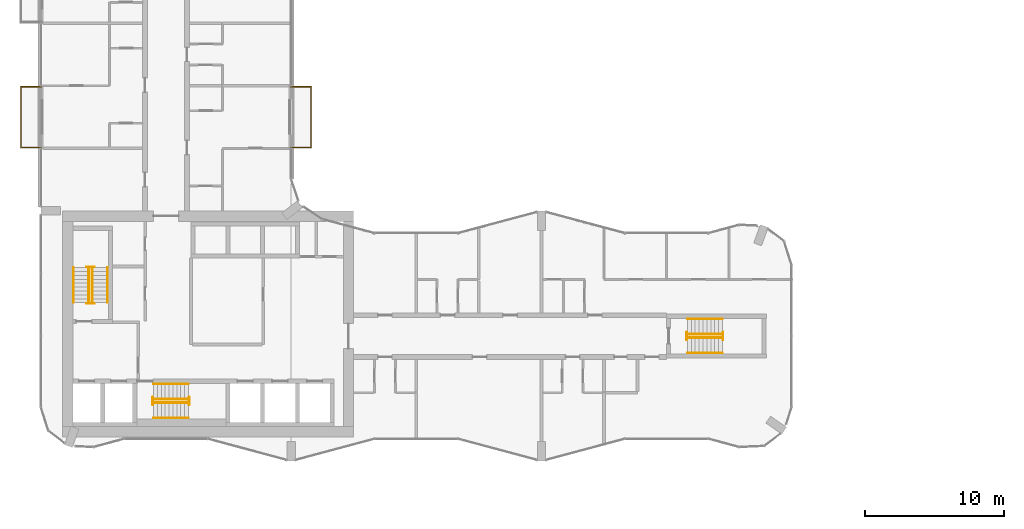
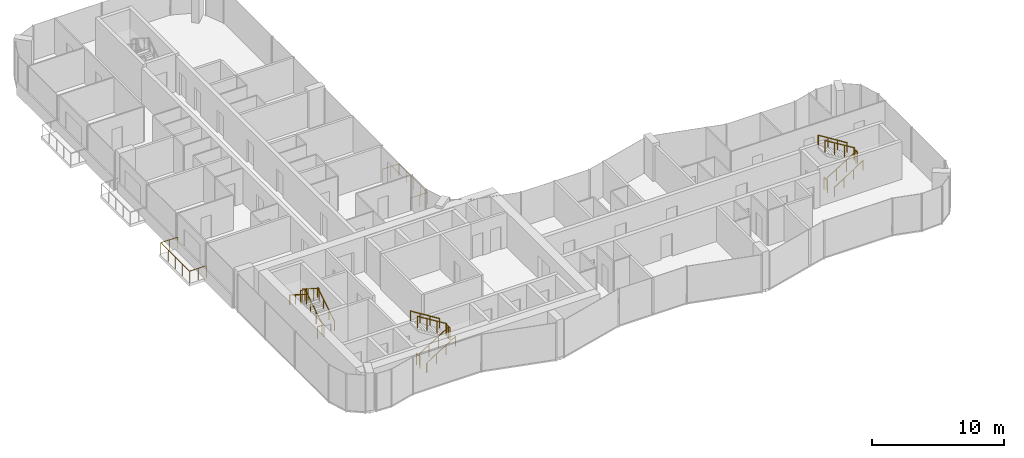
# One storey, part 20 of 22: 20 railings.
"""IFC4 building model written with IfcOpenShell, lengths in metres."""

from ifc_helpers import new_model, si_unit, direction, frame, origin, origin_2d, place, context, subcontext, project, spatial, circle, extrude, material, type_object, element, save


model = new_model("IFC4")

# Units and contexts
model_context = context("Model", 3, precision=1e-05, world=origin(), true_north=direction((0.0, 1.0)))
body_context = subcontext(model_context, "Body", "Model", "MODEL_VIEW")
ifc_project = project(units=[si_unit("LENGTHUNIT", "METRE"), si_unit("AREAUNIT", "SQUARE_METRE"), si_unit("VOLUMEUNIT", "CUBIC_METRE"), si_unit("PLANEANGLEUNIT", "RADIAN"), si_unit("MASSUNIT", "GRAM", prefix="KILO")], contexts=[model_context])

# Site, building, storey
site_placement = place(None, origin())
site = spatial("IfcSite", under=ifc_project, at=site_placement, CompositionType="ELEMENT")
building_placement = place(site_placement, origin())
building = spatial("IfcBuilding", under=site, at=building_placement, Name="Plateau Cross Towers", CompositionType="ELEMENT")
storey_placement = place(building_placement, frame((0.0, 0.0, 54.800048828125)))
storey = spatial("IfcBuildingStorey", under=building, at=storey_placement, Name="L13", CompositionType="ELEMENT", Elevation=54.800048828125)

# Railings
ifc_material_1 = material(Name="Stainless steel and toughened glass", Category="steel")
railing_type_1 = type_object("IfcRailingType", Name="Glass balustrade guard 1100", PredefinedType="GUARDRAIL", material=ifc_material_1)
railing_1_placement = place(storey_placement, frame((0.050048828125, 22.570068359375, 0.0)))
element("IfcRailing", 1, at=railing_1_placement, inside=storey, type_object=railing_type_1, Name="Guard guard1", PredefinedType="GUARDRAIL", context=body_context, shape_type="SweptSolid", body=[
    extrude(circle(Radius=0.02392578125, at=origin_2d()), frame((0.0, 0.0, 1.076171875), z_axis=(-1.0, 0.0, 0.0), x_axis=(0.0, -1.0, 0.0)), (0.0, 0.0, 1.0), 1.47998046875),
    extrude(circle(Radius=0.02392578125, at=origin_2d()), frame((-1.47998046875, 0.0, 1.076171875), z_axis=(0.0, 1.0, 0.0), x_axis=(-1.0, 0.0, 0.0)), (0.0, 0.0, 1.0), 4.35986328125),
    extrude(circle(Radius=0.02392578125, at=origin_2d()), frame((-1.47998046875, 4.35986328125, 1.076171875), z_axis=(1.0, 0.0, 0.0), x_axis=(0.0, 1.0, 0.0)), (0.0, 0.0, 1.0), 1.47998046875),
    extrude(circle(Radius=0.02099609375, at=origin_2d()), origin(), (0.0, 0.0, 1.0), 1.052001953125),
    extrude(circle(Radius=0.02099609375, at=origin_2d()), frame((-0.739990234375, 0.0, 0.0)), (0.0, 0.0, 1.0), 1.052001953125),
    extrude(circle(Radius=0.02099609375, at=origin_2d()), frame((-1.47998046875, 0.0, 0.0)), (0.0, 0.0, 1.0), 1.052001953125),
    extrude(circle(Radius=0.02099609375, at=origin_2d()), frame((-1.47998046875, 1.08984375, 0.0)), (0.0, 0.0, 1.0), 1.052001953125),
    extrude(circle(Radius=0.02099609375, at=origin_2d()), frame((-1.47998046875, 2.179931640625, 0.0)), (0.0, 0.0, 1.0), 1.052001953125),
    extrude(circle(Radius=0.02099609375, at=origin_2d()), frame((-1.47998046875, 3.27001953125, 0.0)), (0.0, 0.0, 1.0), 1.052001953125),
    extrude(circle(Radius=0.02099609375, at=origin_2d()), frame((-1.47998046875, 4.35986328125, 0.0)), (0.0, 0.0, 1.0), 1.052001953125),
    extrude(circle(Radius=0.02099609375, at=origin_2d()), frame((-0.739990234375, 4.35986328125, 0.0)), (0.0, 0.0, 1.0), 1.052001953125),
    extrude(circle(Radius=0.02099609375, at=origin_2d()), frame((0.0, 4.35986328125, 0.0)), (0.0, 0.0, 1.0), 1.052001953125),
])
railing_2_placement = place(storey_placement, frame((17.949951171875, 26.929931640625, 0.0)))
element("IfcRailing", 2, at=railing_2_placement, inside=storey, type_object=railing_type_1, Name="Guard guard1", PredefinedType="GUARDRAIL", context=body_context, shape_type="SweptSolid", body=[
    extrude(circle(Radius=0.02392578125, at=origin_2d()), frame((0.0, 0.0, 1.076171875), z_axis=(1.0, 0.0, 0.0), x_axis=(0.0, 1.0, 0.0)), (0.0, 0.0, 1.0), 1.47998046875),
    extrude(circle(Radius=0.02392578125, at=origin_2d()), frame((1.47998046875, 0.0, 1.076171875), z_axis=(0.0, -1.0, 0.0), x_axis=(1.0, 0.0, 0.0)), (0.0, 0.0, 1.0), 4.35986328125),
    extrude(circle(Radius=0.02392578125, at=origin_2d()), frame((1.47998046875, -4.35986328125, 1.076171875), z_axis=(-1.0, 0.0, 0.0), x_axis=(0.0, -1.0, 0.0)), (0.0, 0.0, 1.0), 1.47998046875),
    extrude(circle(Radius=0.02099609375, at=origin_2d()), origin(), (0.0, 0.0, 1.0), 1.052001953125),
    extrude(circle(Radius=0.02099609375, at=origin_2d()), frame((0.739990234375, 0.0, 0.0)), (0.0, 0.0, 1.0), 1.052001953125),
    extrude(circle(Radius=0.02099609375, at=origin_2d()), frame((1.47998046875, 0.0, 0.0)), (0.0, 0.0, 1.0), 1.052001953125),
    extrude(circle(Radius=0.02099609375, at=origin_2d()), frame((1.47998046875, -1.08984375, 0.0)), (0.0, 0.0, 1.0), 1.052001953125),
    extrude(circle(Radius=0.02099609375, at=origin_2d()), frame((1.47998046875, -2.179931640625, 0.0)), (0.0, 0.0, 1.0), 1.052001953125),
    extrude(circle(Radius=0.02099609375, at=origin_2d()), frame((1.47998046875, -3.27001953125, 0.0)), (0.0, 0.0, 1.0), 1.052001953125),
    extrude(circle(Radius=0.02099609375, at=origin_2d()), frame((1.47998046875, -4.35986328125, 0.0)), (0.0, 0.0, 1.0), 1.052001953125),
    extrude(circle(Radius=0.02099609375, at=origin_2d()), frame((0.739990234375, -4.35986328125, 0.0)), (0.0, 0.0, 1.0), 1.052001953125),
    extrude(circle(Radius=0.02099609375, at=origin_2d()), frame((0.0, -4.35986328125, 0.0)), (0.0, 0.0, 1.0), 1.052001953125),
])
railing_type_2 = type_object("IfcRailingType", Name="RL-GUARD-1100", PredefinedType="GUARDRAIL", material=ifc_material_1)
railing_3_placement = place(storey_placement, frame((3.699951171875, 11.39990234375, 0.175048828125)))
element("IfcRailing", 3, at=railing_3_placement, inside=storey, type_object=railing_type_2, Name="L13 ST-1 stair guard 1", PredefinedType="GUARDRAIL", context=body_context, shape_type="SweptSolid", body=[
    extrude(circle(Radius=0.02392578125, at=origin_2d()), frame((0.0, 0.0, 1.076171875), z_axis=(0.0, 0.848007534815, 0.529984170421), x_axis=(-1.0, 0.0, 0.0)), (0.0, 0.0, 1.0), 2.9716796875),
    extrude(circle(Radius=0.02099609375, at=origin_2d()), origin(), (0.0, 0.0, 1.0), 1.052001953125),
    extrude(circle(Radius=0.02099609375, at=origin_2d()), frame((0.0, 0.840087890625, 0.52490234375)), (0.0, 0.0, 1.0), 1.052001953125),
    extrude(circle(Radius=0.02099609375, at=origin_2d()), frame((0.0, 1.679931640625, 1.050048828125)), (0.0, 0.0, 1.0), 1.052001953125),
    extrude(circle(Radius=0.02099609375, at=origin_2d()), frame((0.0, 2.52001953125, 1.574951171875)), (0.0, 0.0, 1.0), 1.052001953125),
])
railing_4_placement = place(storey_placement, frame((3.85009765625, 13.969970703125, 1.75)))
element("IfcRailing", 4, at=railing_4_placement, inside=storey, type_object=railing_type_2, Name="L13 ST-1 stair guard 2", PredefinedType="GUARDRAIL", context=body_context, shape_type="SweptSolid", body=[
    extrude(circle(Radius=0.02392578125, at=origin_2d()), frame((0.0, 0.0, 1.076171875), z_axis=(-1.0, 0.0, 0.0), x_axis=(0.0, -1.0, 0.0)), (0.0, 0.0, 1.0), 0.550048828125),
    extrude(circle(Radius=0.02099609375, at=origin_2d()), origin(), (0.0, 0.0, 1.0), 1.052001953125),
    extrude(circle(Radius=0.02099609375, at=origin_2d()), frame((-0.550048828125, 0.0, 0.0)), (0.0, 0.0, 1.0), 1.052001953125),
])
railing_5_placement = place(storey_placement, frame((3.449951171875, 13.919921875, 1.925048828125)))
element("IfcRailing", 5, at=railing_5_placement, inside=storey, type_object=railing_type_2, Name="L13 ST-1 stair guard 3", PredefinedType="GUARDRAIL", context=body_context, shape_type="SweptSolid", body=[
    extrude(circle(Radius=0.02392578125, at=origin_2d()), frame((0.0, 0.0, 1.076171875), z_axis=(0.0, -0.852616386126, 0.522537365276), x_axis=(1.0, 0.0, 0.0)), (0.0, 0.0, 1.0), 3.01416015625),
    extrude(circle(Radius=0.02099609375, at=origin_2d()), origin(), (0.0, 0.0, 1.0), 1.052001953125),
    extrude(circle(Radius=0.02099609375, at=origin_2d()), frame((0.0, -0.856689453125, 0.52490234375)), (0.0, 0.0, 1.0), 1.052001953125),
    extrude(circle(Radius=0.02099609375, at=origin_2d()), frame((0.0, -1.713134765625, 1.050048828125)), (0.0, 0.0, 1.0), 1.052001953125),
    extrude(circle(Radius=0.02099609375, at=origin_2d()), frame((0.0, -2.56982421875, 1.574951171875)), (0.0, 0.0, 1.0), 1.052001953125),
])
railing_6_placement = place(storey_placement, frame((3.85009765625, 11.35009765625, 0.0)))
element("IfcRailing", 6, at=railing_6_placement, inside=storey, type_object=railing_type_2, Name="L13 ST-1 stair guard 4", PredefinedType="GUARDRAIL", context=body_context, shape_type="SweptSolid", body=[
    extrude(circle(Radius=0.02392578125, at=origin_2d()), frame((0.0, 0.0, 1.076171875), z_axis=(-1.0, 0.0, 0.0), x_axis=(0.0, -1.0, 0.0)), (0.0, 0.0, 1.0), 0.550048828125),
    extrude(circle(Radius=0.02099609375, at=origin_2d()), origin(), (0.0, 0.0, 1.0), 1.052001953125),
    extrude(circle(Radius=0.02099609375, at=origin_2d()), frame((-0.550048828125, 0.0, 0.0)), (0.0, 0.0, 1.0), 1.052001953125),
])
railing_7_placement = place(storey_placement, frame((8.10009765625, 4.199951171875, 0.175048828125)))
element("IfcRailing", 7, at=railing_7_placement, inside=storey, type_object=railing_type_2, Name="L13 ST-2 stair guard 1", PredefinedType="GUARDRAIL", context=body_context, shape_type="SweptSolid", body=[
    extrude(circle(Radius=0.02392578125, at=origin_2d()), frame((0.0, 0.0, 1.076171875), z_axis=(0.848007534815, 0.0, 0.529984170421), x_axis=(0.0, 1.0, 0.0)), (0.0, 0.0, 1.0), 2.9716796875),
    extrude(circle(Radius=0.02099609375, at=origin_2d()), origin(), (0.0, 0.0, 1.0), 1.052001953125),
    extrude(circle(Radius=0.02099609375, at=origin_2d()), frame((0.840087890625, 0.0, 0.52490234375)), (0.0, 0.0, 1.0), 1.052001953125),
    extrude(circle(Radius=0.02099609375, at=origin_2d()), frame((1.679931640625, 0.0, 1.050048828125)), (0.0, 0.0, 1.0), 1.052001953125),
    extrude(circle(Radius=0.02099609375, at=origin_2d()), frame((2.52001953125, 0.0, 1.574951171875)), (0.0, 0.0, 1.0), 1.052001953125),
])
railing_8_placement = place(storey_placement, frame((10.669921875, 4.050048828125, 1.75)))
element("IfcRailing", 8, at=railing_8_placement, inside=storey, type_object=railing_type_2, Name="L13 ST-2 stair guard 2", PredefinedType="GUARDRAIL", context=body_context, shape_type="SweptSolid", body=[
    extrude(circle(Radius=0.02392578125, at=origin_2d()), frame((0.0, 0.0, 1.076171875), z_axis=(0.0, 1.0, 0.0), x_axis=(-1.0, 0.0, 0.0)), (0.0, 0.0, 1.0), 0.550048828125),
    extrude(circle(Radius=0.02099609375, at=origin_2d()), origin(), (0.0, 0.0, 1.0), 1.052001953125),
    extrude(circle(Radius=0.02099609375, at=origin_2d()), frame((0.0, 0.550048828125, 0.0)), (0.0, 0.0, 1.0), 1.052001953125),
])
railing_9_placement = place(storey_placement, frame((10.6201171875, 4.449951171875, 1.925048828125)))
element("IfcRailing", 9, at=railing_9_placement, inside=storey, type_object=railing_type_2, Name="L13 ST-2 stair guard 3", PredefinedType="GUARDRAIL", context=body_context, shape_type="SweptSolid", body=[
    extrude(circle(Radius=0.02392578125, at=origin_2d()), frame((0.0, 0.0, 1.076171875), z_axis=(-0.852638500773, 0.0, 0.522501279423), x_axis=(0.0, -1.0, 0.0)), (0.0, 0.0, 1.0), 3.01416015625),
    extrude(circle(Radius=0.02099609375, at=origin_2d()), origin(), (0.0, 0.0, 1.0), 1.052001953125),
    extrude(circle(Radius=0.02099609375, at=origin_2d()), frame((-0.856689453125, 0.0, 0.52490234375)), (0.0, 0.0, 1.0), 1.052001953125),
    extrude(circle(Radius=0.02099609375, at=origin_2d()), frame((-1.71337890625, 0.0, 1.050048828125)), (0.0, 0.0, 1.0), 1.052001953125),
    extrude(circle(Radius=0.02099609375, at=origin_2d()), frame((-2.570068359375, 0.0, 1.574951171875)), (0.0, 0.0, 1.0), 1.052001953125),
])
railing_10_placement = place(storey_placement, frame((8.050048828125, 4.050048828125, 0.0)))
element("IfcRailing", 10, at=railing_10_placement, inside=storey, type_object=railing_type_2, Name="L13 ST-2 stair guard 4", PredefinedType="GUARDRAIL", context=body_context, shape_type="SweptSolid", body=[
    extrude(circle(Radius=0.02392578125, at=origin_2d()), frame((0.0, 0.0, 1.076171875), z_axis=(0.0, 1.0, 0.0), x_axis=(-1.0, 0.0, 0.0)), (0.0, 0.0, 1.0), 0.550048828125),
    extrude(circle(Radius=0.02099609375, at=origin_2d()), origin(), (0.0, 0.0, 1.0), 1.052001953125),
    extrude(circle(Radius=0.02099609375, at=origin_2d()), frame((0.0, 0.550048828125, 0.0)), (0.0, 0.0, 1.0), 1.052001953125),
])
railing_11_placement = place(storey_placement, frame((46.5, 8.875, 0.175048828125)))
element("IfcRailing", 11, at=railing_11_placement, inside=storey, type_object=railing_type_2, Name="L13 ES-E stair guard 1", PredefinedType="GUARDRAIL", context=body_context, shape_type="SweptSolid", body=[
    extrude(circle(Radius=0.02392578125, at=origin_2d()), frame((0.0, 0.0, 1.076171875), z_axis=(0.848007534815, 0.0, 0.529984170421), x_axis=(0.0, 1.0, 0.0)), (0.0, 0.0, 1.0), 2.9716796875),
    extrude(circle(Radius=0.02099609375, at=origin_2d()), origin(), (0.0, 0.0, 1.0), 1.052001953125),
    extrude(circle(Radius=0.02099609375, at=origin_2d()), frame((0.840087890625, 0.0, 0.52490234375)), (0.0, 0.0, 1.0), 1.052001953125),
    extrude(circle(Radius=0.02099609375, at=origin_2d()), frame((1.679931640625, 0.0, 1.050048828125)), (0.0, 0.0, 1.0), 1.052001953125),
    extrude(circle(Radius=0.02099609375, at=origin_2d()), frame((2.52001953125, 0.0, 1.574951171875)), (0.0, 0.0, 1.0), 1.052001953125),
])
railing_12_placement = place(storey_placement, frame((49.070068359375, 8.72509765625, 1.75)))
element("IfcRailing", 12, at=railing_12_placement, inside=storey, type_object=railing_type_2, Name="L13 ES-E stair guard 2", PredefinedType="GUARDRAIL", context=body_context, shape_type="SweptSolid", body=[
    extrude(circle(Radius=0.02392578125, at=origin_2d()), frame((0.0, 0.0, 1.076171875), z_axis=(0.0, 1.0, 0.0), x_axis=(-1.0, 0.0, 0.0)), (0.0, 0.0, 1.0), 0.5498046875),
    extrude(circle(Radius=0.02099609375, at=origin_2d()), origin(), (0.0, 0.0, 1.0), 1.052001953125),
    extrude(circle(Radius=0.02099609375, at=origin_2d()), frame((0.0, 0.5498046875, 0.0)), (0.0, 0.0, 1.0), 1.052001953125),
])
railing_13_placement = place(storey_placement, frame((49.02001953125, 9.125, 1.925048828125)))
element("IfcRailing", 13, at=railing_13_placement, inside=storey, type_object=railing_type_2, Name="L13 ES-E stair guard 3", PredefinedType="GUARDRAIL", context=body_context, shape_type="SweptSolid", body=[
    extrude(circle(Radius=0.02392578125, at=origin_2d()), frame((0.0, 0.0, 1.076171875), z_axis=(-0.852638500773, 0.0, 0.522501279423), x_axis=(0.0, -1.0, 0.0)), (0.0, 0.0, 1.0), 3.01416015625),
    extrude(circle(Radius=0.02099609375, at=origin_2d()), origin(), (0.0, 0.0, 1.0), 1.052001953125),
    extrude(circle(Radius=0.02099609375, at=origin_2d()), frame((-0.856689453125, 0.0, 0.52490234375)), (0.0, 0.0, 1.0), 1.052001953125),
    extrude(circle(Radius=0.02099609375, at=origin_2d()), frame((-1.71337890625, 0.0, 1.050048828125)), (0.0, 0.0, 1.0), 1.052001953125),
    extrude(circle(Radius=0.02099609375, at=origin_2d()), frame((-2.570068359375, 0.0, 1.574951171875)), (0.0, 0.0, 1.0), 1.052001953125),
])
railing_14_placement = place(storey_placement, frame((46.449951171875, 8.72509765625, 0.0)))
element("IfcRailing", 14, at=railing_14_placement, inside=storey, type_object=railing_type_2, Name="L13 ES-E stair guard 4", PredefinedType="GUARDRAIL", context=body_context, shape_type="SweptSolid", body=[
    extrude(circle(Radius=0.02392578125, at=origin_2d()), frame((0.0, 0.0, 1.076171875), z_axis=(0.0, 1.0, 0.0), x_axis=(-1.0, 0.0, 0.0)), (0.0, 0.0, 1.0), 0.5498046875),
    extrude(circle(Radius=0.02099609375, at=origin_2d()), origin(), (0.0, 0.0, 1.0), 1.052001953125),
    extrude(circle(Radius=0.02099609375, at=origin_2d()), frame((0.0, 0.5498046875, 0.0)), (0.0, 0.0, 1.0), 1.052001953125),
])
ifc_material_2 = material(Name="Black anodised aluminium", Category="aluminium")
railing_type_3 = type_object("IfcRailingType", Name="RL-HANDRAIL-900", PredefinedType="HANDRAIL", material=ifc_material_2)
railing_15_placement = place(storey_placement, frame((4.800048828125, 11.39990234375, 0.175048828125)))
element("IfcRailing", 15, at=railing_15_placement, inside=storey, type_object=railing_type_3, Name="L13 ST-1 stair handrail 1", PredefinedType="HANDRAIL", context=body_context, shape_type="SweptSolid", body=[
    extrude(circle(Radius=0.02392578125, at=origin_2d()), frame((0.0, 0.0, 0.8759765625), z_axis=(0.0, 0.848007534815, 0.529984170421), x_axis=(-1.0, 0.0, 0.0)), (0.0, 0.0, 1.0), 2.9716796875),
    extrude(circle(Radius=0.02099609375, at=origin_2d()), origin(), (0.0, 0.0, 1.0), 0.851806640625),
    extrude(circle(Radius=0.02099609375, at=origin_2d()), frame((0.0, 0.840087890625, 0.52490234375)), (0.0, 0.0, 1.0), 0.851806640625),
    extrude(circle(Radius=0.02099609375, at=origin_2d()), frame((0.0, 1.679931640625, 1.050048828125)), (0.0, 0.0, 1.0), 0.851806640625),
    extrude(circle(Radius=0.02099609375, at=origin_2d()), frame((0.0, 2.52001953125, 1.574951171875)), (0.0, 0.0, 1.0), 0.851806640625),
])
railing_16_placement = place(storey_placement, frame((2.35009765625, 13.919921875, 1.925048828125)))
element("IfcRailing", 16, at=railing_16_placement, inside=storey, type_object=railing_type_3, Name="L13 ST-1 stair handrail 2", PredefinedType="HANDRAIL", context=body_context, shape_type="SweptSolid", body=[
    extrude(circle(Radius=0.02392578125, at=origin_2d()), frame((0.0, 0.0, 0.8759765625), z_axis=(0.0, -0.848007534815, 0.529984170421), x_axis=(1.0, 0.0, 0.0)), (0.0, 0.0, 1.0), 2.9716796875),
    extrude(circle(Radius=0.02099609375, at=origin_2d()), origin(), (0.0, 0.0, 1.0), 0.851806640625),
    extrude(circle(Radius=0.02099609375, at=origin_2d()), frame((0.0, -0.840087890625, 0.52490234375)), (0.0, 0.0, 1.0), 0.851806640625),
    extrude(circle(Radius=0.02099609375, at=origin_2d()), frame((0.0, -1.679931640625, 1.050048828125)), (0.0, 0.0, 1.0), 0.851806640625),
    extrude(circle(Radius=0.02099609375, at=origin_2d()), frame((0.0, -2.52001953125, 1.574951171875)), (0.0, 0.0, 1.0), 0.851806640625),
])
railing_17_placement = place(storey_placement, frame((8.10009765625, 3.10009765625, 0.175048828125)))
element("IfcRailing", 17, at=railing_17_placement, inside=storey, type_object=railing_type_3, Name="L13 ST-2 stair handrail 1", PredefinedType="HANDRAIL", context=body_context, shape_type="SweptSolid", body=[
    extrude(circle(Radius=0.02392578125, at=origin_2d()), frame((0.0, 0.0, 0.8759765625), z_axis=(0.848007534815, 0.0, 0.529984170421), x_axis=(0.0, 1.0, 0.0)), (0.0, 0.0, 1.0), 2.9716796875),
    extrude(circle(Radius=0.02099609375, at=origin_2d()), origin(), (0.0, 0.0, 1.0), 0.851806640625),
    extrude(circle(Radius=0.02099609375, at=origin_2d()), frame((0.840087890625, 0.0, 0.52490234375)), (0.0, 0.0, 1.0), 0.851806640625),
    extrude(circle(Radius=0.02099609375, at=origin_2d()), frame((1.679931640625, 0.0, 1.050048828125)), (0.0, 0.0, 1.0), 0.851806640625),
    extrude(circle(Radius=0.02099609375, at=origin_2d()), frame((2.52001953125, 0.0, 1.574951171875)), (0.0, 0.0, 1.0), 0.851806640625),
])
railing_18_placement = place(storey_placement, frame((10.6201171875, 5.550048828125, 1.925048828125)))
element("IfcRailing", 18, at=railing_18_placement, inside=storey, type_object=railing_type_3, Name="L13 ST-2 stair handrail 2", PredefinedType="HANDRAIL", context=body_context, shape_type="SweptSolid", body=[
    extrude(circle(Radius=0.02392578125, at=origin_2d()), frame((0.0, 0.0, 0.8759765625), z_axis=(-0.848007534815, 0.0, 0.529984170421), x_axis=(0.0, -1.0, 0.0)), (0.0, 0.0, 1.0), 2.9716796875),
    extrude(circle(Radius=0.02099609375, at=origin_2d()), origin(), (0.0, 0.0, 1.0), 0.851806640625),
    extrude(circle(Radius=0.02099609375, at=origin_2d()), frame((-0.840087890625, 0.0, 0.52490234375)), (0.0, 0.0, 1.0), 0.851806640625),
    extrude(circle(Radius=0.02099609375, at=origin_2d()), frame((-1.679931640625, 0.0, 1.050048828125)), (0.0, 0.0, 1.0), 0.851806640625),
    extrude(circle(Radius=0.02099609375, at=origin_2d()), frame((-2.52001953125, 0.0, 1.574951171875)), (0.0, 0.0, 1.0), 0.851806640625),
])
railing_19_placement = place(storey_placement, frame((46.5, 7.77490234375, 0.175048828125)))
element("IfcRailing", 19, at=railing_19_placement, inside=storey, type_object=railing_type_3, Name="L13 ES-E stair handrail 1", PredefinedType="HANDRAIL", context=body_context, shape_type="SweptSolid", body=[
    extrude(circle(Radius=0.02392578125, at=origin_2d()), frame((0.0, 0.0, 0.8759765625), z_axis=(0.848007534815, 0.0, 0.529984170421), x_axis=(0.0, 1.0, 0.0)), (0.0, 0.0, 1.0), 2.9716796875),
    extrude(circle(Radius=0.02099609375, at=origin_2d()), origin(), (0.0, 0.0, 1.0), 0.851806640625),
    extrude(circle(Radius=0.02099609375, at=origin_2d()), frame((0.840087890625, 0.0, 0.52490234375)), (0.0, 0.0, 1.0), 0.851806640625),
    extrude(circle(Radius=0.02099609375, at=origin_2d()), frame((1.679931640625, 0.0, 1.050048828125)), (0.0, 0.0, 1.0), 0.851806640625),
    extrude(circle(Radius=0.02099609375, at=origin_2d()), frame((2.52001953125, 0.0, 1.574951171875)), (0.0, 0.0, 1.0), 0.851806640625),
])
railing_20_placement = place(storey_placement, frame((49.02001953125, 10.22509765625, 1.925048828125)))
element("IfcRailing", 20, at=railing_20_placement, inside=storey, type_object=railing_type_3, Name="L13 ES-E stair handrail 2", PredefinedType="HANDRAIL", context=body_context, shape_type="SweptSolid", body=[
    extrude(circle(Radius=0.02392578125, at=origin_2d()), frame((0.0, 0.0, 0.8759765625), z_axis=(-0.848007534815, 0.0, 0.529984170421), x_axis=(0.0, -1.0, 0.0)), (0.0, 0.0, 1.0), 2.9716796875),
    extrude(circle(Radius=0.02099609375, at=origin_2d()), origin(), (0.0, 0.0, 1.0), 0.851806640625),
    extrude(circle(Radius=0.02099609375, at=origin_2d()), frame((-0.840087890625, 0.0, 0.52490234375)), (0.0, 0.0, 1.0), 0.851806640625),
    extrude(circle(Radius=0.02099609375, at=origin_2d()), frame((-1.679931640625, 0.0, 1.050048828125)), (0.0, 0.0, 1.0), 0.851806640625),
    extrude(circle(Radius=0.02099609375, at=origin_2d()), frame((-2.52001953125, 0.0, 1.574951171875)), (0.0, 0.0, 1.0), 0.851806640625),
])

save(model, "model.ifc")
